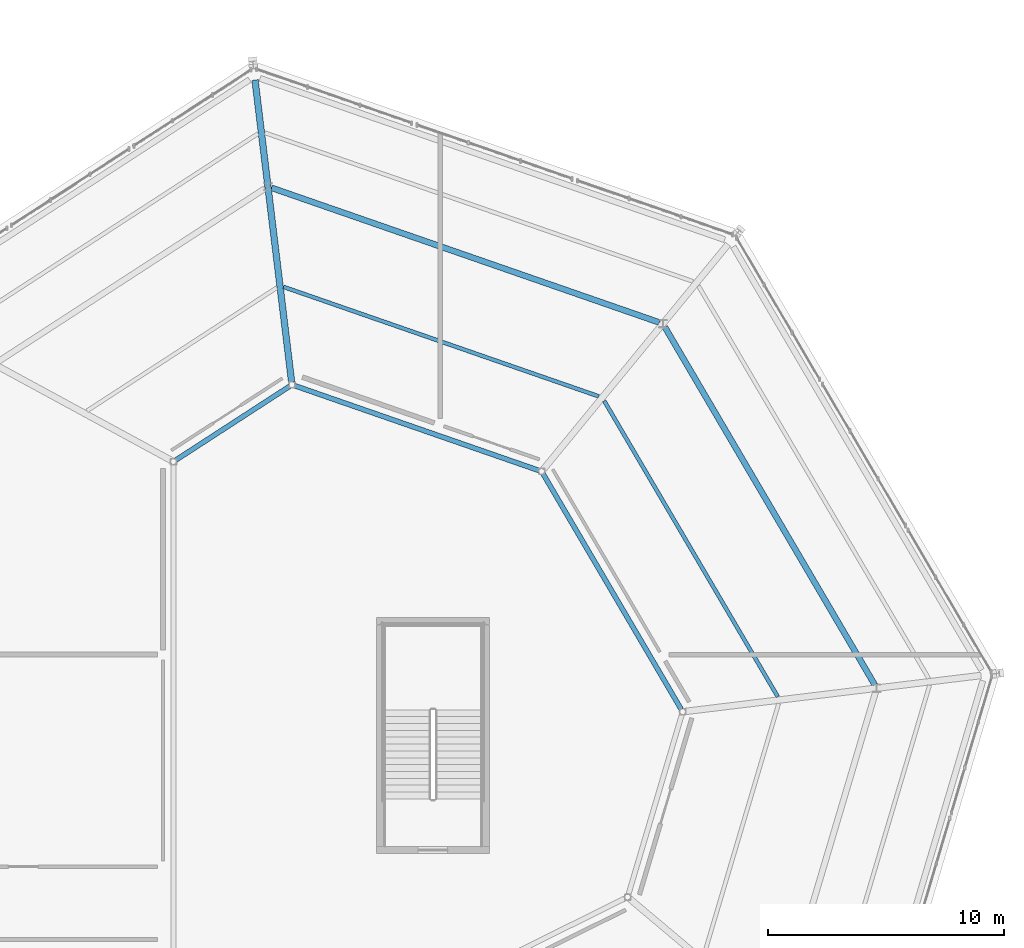
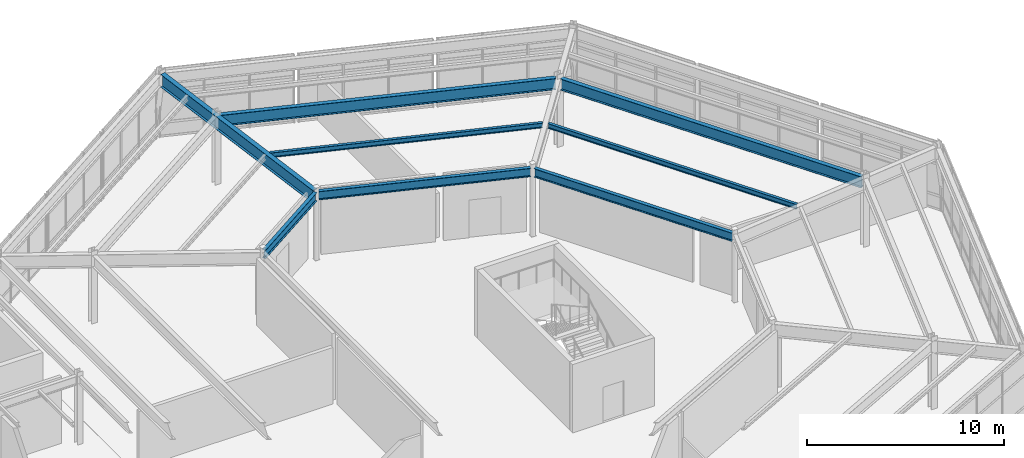
# One storey, part 35 of 69: 8 beams.
"""IFC4 building model written with IfcOpenShell, lengths in metres."""

from ifc_helpers import new_model, si_unit, direction, frame, origin, origin_2d, place, context, subcontext, project, spatial, i_section, extrude, material, material_profile, profile_set, type_object, element, save


model = new_model("IFC4")

# Units and contexts
model_context = context("Model", 3, precision=1e-05, world=origin(), true_north=direction((0.0, 1.0)))
body_context = subcontext(model_context, "Body", "Model", "MODEL_VIEW")
ifc_project = project(units=[si_unit("LENGTHUNIT", "METRE"), si_unit("AREAUNIT", "SQUARE_METRE"), si_unit("VOLUMEUNIT", "CUBIC_METRE"), si_unit("PLANEANGLEUNIT", "RADIAN"), si_unit("MASSUNIT", "GRAM", prefix="KILO")], contexts=[model_context])

# Site, building, storey
site_placement = place(None, origin())
site = spatial("IfcSite", under=ifc_project, at=site_placement, CompositionType="ELEMENT")
building_placement = place(site_placement, origin())
building = spatial("IfcBuilding", under=site, at=building_placement, Name="Sarnbrook Museum", CompositionType="ELEMENT")
storey_placement = place(building_placement, frame((0.0, 0.0, 14.60009765625)))
storey = spatial("IfcBuildingStorey", under=building, at=storey_placement, Name="L03", CompositionType="ELEMENT", Elevation=14.60009765625)

# Beams
ifc_material_1 = material(Name="Structural Steel Grade 300PLUS (AS/NZS 3679.1, fy = 280 MPa for 17 < t <= 40 mm, 300 MPa for t <= 17 mm)", Category="steel")
ifc_material_profile_1 = material_profile(ifc_material_1, i_section(OverallWidth=0.208984375, OverallDepth=0.532958984375, WebThickness=0.01025390625, FlangeThickness=0.015625, FilletRadius=0.013916015625, at=origin_2d()), Name="530UB92.4")
ifc_profile_set_1 = profile_set([ifc_material_profile_1], Name="Structural Steel Grade 300PLUS (AS/NZS 3679.1, fy = 280 MPa for 17 < t <= 40 mm, 300 MPa for t <= 17 mm)")
beam_type_1 = type_object("IfcBeamType", Name="BM-UB530", PredefinedType="BEAM", material=ifc_profile_set_1)
beam_1_placement = place(storey_placement, frame((154.3212890625, 86.313720703125, 3.973388671875), z_axis=(-0.506064427748, 0.862495678231, 0.0), x_axis=(-0.862495678231, -0.506064427748, 0.0)))
element("IfcBeam", 1, at=beam_1_placement, inside=storey, type_object=beam_type_1, Name="Crystal Hall R2 Ring Girder 4 L03", PredefinedType="BEAM", context=body_context, shape_type="SweptSolid", body=[
    extrude(i_section(OverallWidth=0.208984375, OverallDepth=0.532958984375, WebThickness=0.01025390625, FlangeThickness=0.015625, FilletRadius=0.013916015625, at=origin_2d()), origin(), (0.0, 0.0, 1.0), 11.569580078125),
])
beam_2_placement = place(storey_placement, frame((148.292236328125, 96.435302734375, 3.973388671875), z_axis=(-0.944674814318, 0.328008376711, 0.0), x_axis=(-0.328008376711, -0.944674814318, 0.0)))
element("IfcBeam", 2, at=beam_2_placement, inside=storey, type_object=beam_type_1, Name="Crystal Hall R2 Ring Girder 5 L03", PredefinedType="BEAM", context=body_context, shape_type="SweptSolid", body=[
    extrude(i_section(OverallWidth=0.208984375, OverallDepth=0.532958984375, WebThickness=0.01025390625, FlangeThickness=0.015625, FilletRadius=0.013916015625, at=origin_2d()), origin(), (0.0, 0.0, 1.0), 10.962890625),
])
beam_3_placement = place(storey_placement, frame((137.7216796875, 100.00537109375, 3.973388671875), z_axis=(-0.838900474039, -0.544284846984, 0.0), x_axis=(0.544284846984, -0.838900474039, 0.0)))
element("IfcBeam", 3, at=beam_3_placement, inside=storey, type_object=beam_type_1, Name="Crystal Hall R2 Ring Girder 6 L03", PredefinedType="BEAM", context=body_context, shape_type="SweptSolid", body=[
    extrude(i_section(OverallWidth=0.208984375, OverallDepth=0.532958984375, WebThickness=0.01025390625, FlangeThickness=0.015625, FilletRadius=0.013916015625, at=origin_2d()), origin(), (0.0, 0.0, 1.0), 5.746826171875),
])
ifc_material_2 = material(Name="Structural Steel Grade 350L0 (AS/NZS 3678, fy = 340 MPa for 20 < t <= 40 mm)", Category="steel")
ifc_material_profile_2 = material_profile(ifc_material_2, i_section(OverallWidth=0.25, OverallDepth=0.699951171875, WebThickness=0.010009765625, FlangeThickness=0.01611328125, at=origin_2d()), Name="700WB130")
ifc_profile_set_2 = profile_set([ifc_material_profile_2], Name="Structural Steel Grade 350L0 (AS/NZS 3678, fy = 340 MPa for 20 < t <= 40 mm)")
beam_type_2 = type_object("IfcBeamType", Name="BM-WB700", PredefinedType="BEAM", material=ifc_profile_set_2)
beam_4_placement = place(storey_placement, frame((162.52587890625, 87.348388671875, 3.889892578125), z_axis=(-0.506057154474, 0.862499945743, 0.0), x_axis=(-0.862499945743, -0.506057154474, 0.0)))
element("IfcBeam", 4, at=beam_4_placement, inside=storey, type_object=beam_type_2, Name="Crystal Hall R1 Ring Girder 4 L03", PredefinedType="BEAM", context=body_context, shape_type="SweptSolid", body=[
    extrude(i_section(OverallWidth=0.25, OverallDepth=0.699951171875, WebThickness=0.010009765625, FlangeThickness=0.01611328125, at=origin_2d()), origin(), (0.0, 0.0, 1.0), 17.589111328125),
])
beam_5_placement = place(storey_placement, frame((153.392578125, 102.70947265625, 3.889892578125), z_axis=(-0.944672698081, 0.328014471479, 0.0), x_axis=(-0.328014471479, -0.944672698081, 0.0)))
element("IfcBeam", 5, at=beam_5_placement, inside=storey, type_object=beam_type_2, Name="Crystal Hall R1 Ring Girder 5 L03", PredefinedType="BEAM", context=body_context, shape_type="SweptSolid", body=[
    extrude(i_section(OverallWidth=0.25, OverallDepth=0.699951171875, WebThickness=0.010009765625, FlangeThickness=0.01611328125, at=origin_2d()), origin(), (0.0, 0.0, 1.0), 17.400146484375),
])
ifc_material_profile_3 = material_profile(ifc_material_2, i_section(OverallWidth=0.27490234375, OverallDepth=0.800048828125, WebThickness=0.010009765625, FlangeThickness=0.01611328125, at=origin_2d()), Name="800WB146")
ifc_profile_set_3 = profile_set([ifc_material_profile_3], Name="Structural Steel Grade 350L0 (AS/NZS 3678, fy = 340 MPa for 20 < t <= 40 mm)")
beam_type_3 = type_object("IfcBeamType", Name="CR-CANT", PredefinedType="BEAM", material=ifc_profile_set_3)
beam_6_placement = place(storey_placement, frame((137.80810546875, 100.189697265625, 3.83984375), z_axis=(-0.120374352248, 0.992728570819, 0.0), x_axis=(-0.992728570819, -0.120374352248, 0.0)))
element("IfcBeam", 6, at=beam_6_placement, inside=storey, type_object=beam_type_3, Name="Crystal Hall Radial Cantilever Girder 6 L03", PredefinedType="BEAM", context=body_context, shape_type="SweptSolid", body=[
    extrude(i_section(OverallWidth=0.27490234375, OverallDepth=0.800048828125, WebThickness=0.010009765625, FlangeThickness=0.01611328125, at=origin_2d()), origin(), (0.0, 0.0, 1.0), 12.89111328125),
])
ifc_material_profile_4 = material_profile(ifc_material_1, i_section(OverallWidth=0.1650390625, OverallDepth=0.303955078125, WebThickness=0.006103515625, FlangeThickness=0.01025390625, FilletRadius=0.011474609375, at=origin_2d()), Name="310UB40.4")
ifc_profile_set_4 = profile_set([ifc_material_profile_4], Name="Structural Steel Grade 300PLUS (AS/NZS 3679.1, fy = 280 MPa for 17 < t <= 40 mm, 300 MPa for t <= 17 mm)")
beam_type_4 = type_object("IfcBeamType", Name="JS-UB310", PredefinedType="JOIST", material=ifc_profile_set_4)
beam_7_placement = place(storey_placement, frame((158.413330078125, 86.848388671875, 4.087890625), z_axis=(-0.50605775092, 0.862499595788, 0.0), x_axis=(-0.862499595788, -0.50605775092, 0.0)))
element("IfcBeam", 7, at=beam_7_placement, inside=storey, type_object=beam_type_4, Name="Crystal Hall Tangential Joist MI-4 L03", PredefinedType="JOIST", context=body_context, shape_type="SweptSolid", body=[
    extrude(i_section(OverallWidth=0.1650390625, OverallDepth=0.303955078125, WebThickness=0.006103515625, FlangeThickness=0.01025390625, FilletRadius=0.011474609375, at=origin_2d()), origin(), (0.0, 0.0, 1.0), 14.5390625),
])
beam_8_placement = place(storey_placement, frame((150.823486328125, 99.5791015625, 4.087890625), z_axis=(-0.944677156242, 0.328001631818, 0.0), x_axis=(-0.328001631818, -0.944677156242, 0.0)))
element("IfcBeam", 8, at=beam_8_placement, inside=storey, type_object=beam_type_4, Name="Crystal Hall Tangential Joist MI-5 L03", PredefinedType="JOIST", context=body_context, shape_type="SweptSolid", body=[
    extrude(i_section(OverallWidth=0.1650390625, OverallDepth=0.303955078125, WebThickness=0.006103515625, FlangeThickness=0.01025390625, FilletRadius=0.011474609375, at=origin_2d()), origin(), (0.0, 0.0, 1.0), 14.141357421875),
])

save(model, "model.ifc")
